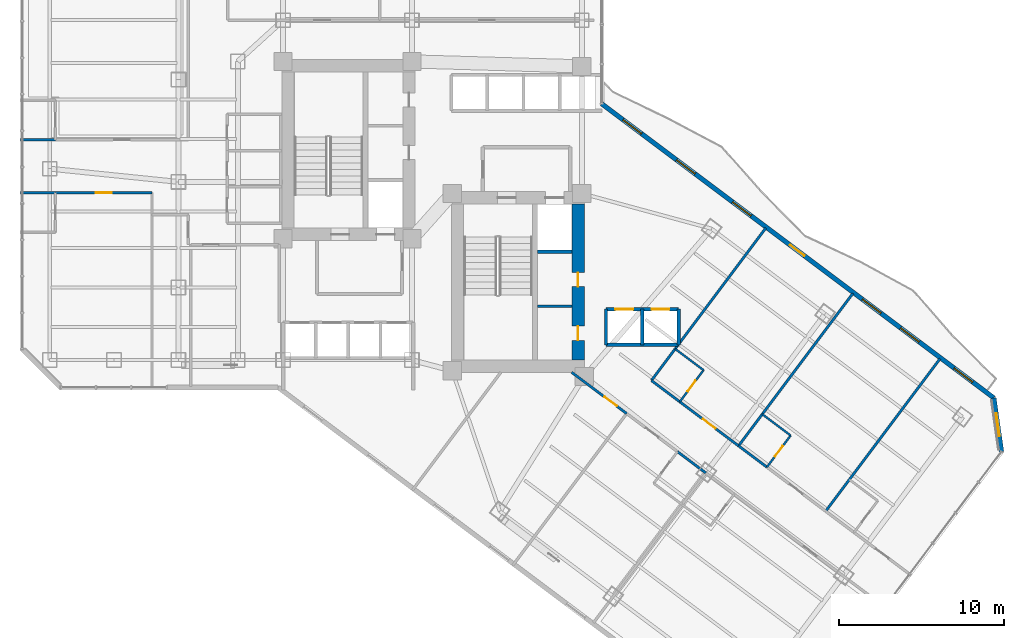
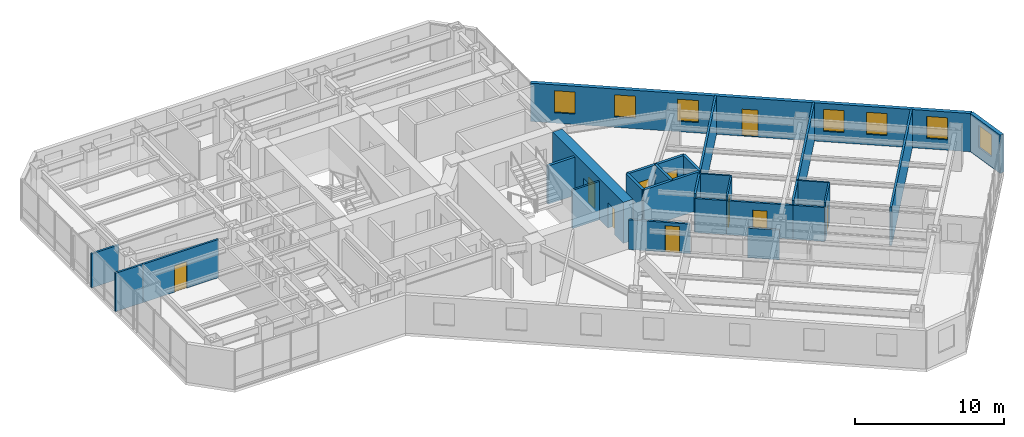
# One storey, part 25 of 31: 25 walls, 10 doors, 7 windows, 17 openings.
"""IFC4 building model written with IfcOpenShell, lengths in metres."""

import ifcopenshell
import ifcopenshell.guid

model = None  # the IFC model being written
_history = None  # IfcOwnerHistory: only IFC2X3 demands one
_inside = {}  # id of a spatial element -> (the spatial element, [elements in it])
_under = {}  # id of a project, library or spatial element -> (it, [spatial elements below it])
_declared = {}  # id of a project -> (the project, [libraries it declares])
_typed = {}  # id of a type object -> (the type object, [elements of that type])
_made_of = {}  # id of a material, layer set ... -> (it, [elements and type objects made of it])


def new_model(schema):
    """Start an empty IFC model of exactly this schema.

    Asked for "IFC4X3", IfcOpenShell would pick the latest addendum, in which some entities
    have other attributes; the version numbers below select the first issue.
    IFC2X3 requires an IfcOwnerHistory on every rooted entity: one is made here for all.
    """
    global model, _history
    if schema == "IFC4X3":
        model = ifcopenshell.file(schema_version=(4, 3, 0, 0))
    else:
        model = ifcopenshell.file(schema=schema)
    _inside.clear()
    _under.clear()
    _declared.clear()
    _typed.clear()
    _made_of.clear()
    _history = None
    if model.schema == "IFC2X3":
        org = make("IfcOrganization", Name="unknown")
        user = make(
            "IfcPersonAndOrganization",
            ThePerson=make("IfcPerson", FamilyName="unknown"),
            TheOrganization=org,
        )
        app = make(
            "IfcApplication",
            ApplicationDeveloper=org,
            Version="unknown",
            ApplicationFullName="unknown",
            ApplicationIdentifier="unknown",
        )
        _history = make(
            "IfcOwnerHistory",
            OwningUser=user,
            OwningApplication=app,
            ChangeAction="ADDED",
            CreationDate=0,
        )
    return model


def make(cls, **values):
    """One entity of the class cls with the attributes given. An attribute that is None is left unset."""
    return model.create_entity(
        cls, **{name: value for name, value in values.items() if value is not None}
    )


def rooted(cls, **values):
    """An entity with a GlobalId (a new one), such as an element, a storey or a relation."""
    return make(cls, GlobalId=ifcopenshell.guid.new(), OwnerHistory=_history, **values)


def si_unit(unit_type, name, prefix=None):
    """IfcSIUnit, for example si_unit("LENGTHUNIT", "METRE", prefix="MILLI")."""
    return make("IfcSIUnit", UnitType=unit_type, Prefix=prefix, Name=name)


def assignment(units):
    """IfcUnitAssignment: the units of a project."""
    return None if units is None else make("IfcUnitAssignment", Units=units)


def point(xyz):
    """IfcCartesianPoint."""
    return None if xyz is None else make("IfcCartesianPoint", Coordinates=xyz)


def direction(xyz):
    """IfcDirection."""
    return None if xyz is None else make("IfcDirection", DirectionRatios=xyz)


def frame(location, z_axis=None, x_axis=None):
    """IfcAxis2Placement3D, a coordinate frame: its origin and axes. An axis left out is left unset."""
    return make(
        "IfcAxis2Placement3D",
        Location=point(location),
        Axis=direction(z_axis),
        RefDirection=direction(x_axis),
    )


def frame_2d(location, x_axis=None):
    """IfcAxis2Placement2D, a coordinate frame in the plane: its origin and x axis."""
    return make(
        "IfcAxis2Placement2D", Location=point(location), RefDirection=direction(x_axis)
    )


def origin():
    """The frame at (0, 0, 0) with its axes left unset."""
    return frame((0.0, 0.0, 0.0))


def place(relative_to, where):
    """IfcLocalPlacement: puts the frame where relative to a parent placement (None: the world)."""
    return make(
        "IfcLocalPlacement", PlacementRelTo=relative_to, RelativePlacement=where
    )


def context(
    kind, dimensions, precision=None, world=None, true_north=None, identifier=None
):
    """IfcGeometricRepresentationContext, for example the 3D "Model" context."""
    return make(
        "IfcGeometricRepresentationContext",
        ContextIdentifier=identifier,
        ContextType=kind,
        CoordinateSpaceDimension=dimensions,
        Precision=precision,
        WorldCoordinateSystem=world,
        TrueNorth=true_north,
    )


def subcontext(parent, identifier, kind, view, scale=None):
    """IfcGeometricRepresentationSubContext, for example "Body" below "Model"."""
    return make(
        "IfcGeometricRepresentationSubContext",
        ContextIdentifier=identifier,
        ContextType=kind,
        ParentContext=parent,
        TargetScale=scale,
        TargetView=view,
    )


def project(units=None, contexts=None):
    """IfcProject with its units and contexts."""
    return rooted(
        "IfcProject",
        Name="project",
        RepresentationContexts=contexts,
        UnitsInContext=assignment(units),
    )


def spatial(cls, under=None, at=None, **own):
    """A site, building, storey or space (cls), placed at a placement, below another one or the project."""
    s = rooted(cls, ObjectPlacement=at, **own)
    if under is not None:
        _under.setdefault(under.id(), (under, []))[1].append(s)
    return s


def profile(cls, at=None, kind="AREA", **sizes):
    """A parametric profile (cls). Its sizes go by their IFC names, for example OverallWidth=200.0."""
    return make(cls, ProfileType=kind, Position=at, **sizes)


def rectangle(**sizes):
    """IfcRectangleProfileDef."""
    return profile("IfcRectangleProfileDef", **sizes)


def extrude(swept, where, along, depth):
    """IfcExtrudedAreaSolid: the profile swept, set in the frame where, extruded along a direction by depth."""
    return make(
        "IfcExtrudedAreaSolid",
        SweptArea=swept,
        Position=where,
        ExtrudedDirection=direction(along),
        Depth=depth,
    )


def shape(context_of_items, identifier, shape_type, items):
    """IfcShapeRepresentation: the items that make up one representation, for example the "Body"."""
    return make(
        "IfcShapeRepresentation",
        ContextOfItems=context_of_items,
        RepresentationIdentifier=identifier,
        RepresentationType=shape_type,
        Items=items,
    )


def material(Name=None, Category=None):
    """IfcMaterial."""
    return make("IfcMaterial", Name=Name, Category=Category)


def layer(
    of_material, thickness, ventilated=None, Name=None, Category=None, Priority=None
):
    """IfcMaterialLayer: one layer of a wall or slab, of a material (None: an air gap)."""
    return make(
        "IfcMaterialLayer",
        Material=of_material,
        LayerThickness=thickness,
        IsVentilated=ventilated,
        Name=Name,
        Category=Category,
        Priority=Priority,
    )


def layer_set(layers, Name=None):
    """IfcMaterialLayerSet."""
    return make("IfcMaterialLayerSet", MaterialLayers=layers, LayerSetName=Name)


def made_of(thing, what):
    """Note that an element or type object is made of a material, layer set ...; save() writes the relation."""
    if what is not None:
        _made_of.setdefault(what.id(), (what, []))[1].append(thing)
    return thing


def type_object(cls, material=None, **own):
    """A type object (cls), such as IfcWallType, which elements share."""
    return made_of(rooted(cls, **own), material)


def element(
    cls,
    number,
    at=None,
    inside=None,
    cuts=None,
    type_object=None,
    material=None,
    context=None,
    identifier="Body",
    shape_type=None,
    held_by="IfcProductDefinitionShape",
    body=None,
    shapes=None,
    **own,
):
    """One element of the class cls, such as IfcWall. Its Tag is "e" and its number.

    at: its placement. inside: the storey or other place that contains it. cuts: it is an
    opening in that element (IfcRelVoidsElement). A single representation is given by context,
    identifier, shape_type and body (its items); several are given by shapes. held_by: the class
    of the entity that holds the representations. save() writes the other relations.
    """
    e = rooted(cls, Tag="e%d" % number, ObjectPlacement=at, **own)
    if body is not None:
        shapes = [shape(context, identifier, shape_type, body)]
    if shapes is not None:
        e.Representation = make(held_by, Representations=shapes)
    if inside is not None:
        _inside.setdefault(inside.id(), (inside, []))[1].append(e)
    if cuts is not None:
        rooted(
            "IfcRelVoidsElement", RelatingBuildingElement=cuts, RelatedOpeningElement=e
        )
    if type_object is not None:
        _typed.setdefault(type_object.id(), (type_object, []))[1].append(e)
    return made_of(e, material)


def fill(opening, filler):
    """IfcRelFillsElement: the door or window that sits in an opening."""
    return rooted(
        "IfcRelFillsElement",
        RelatingOpeningElement=opening,
        RelatedBuildingElement=filler,
    )


def aggregate(whole, parts):
    """IfcRelAggregates: a whole, such as a stair, and the parts it consists of."""
    return rooted("IfcRelAggregates", RelatingObject=whole, RelatedObjects=parts)


def save(model, path):
    """Write the relations noted so far, then the file.

    IfcRelAggregates (storeys below a building ...), IfcRelContainedInSpatialStructure (elements
    in a storey), IfcRelDefinesByType, IfcRelAssociatesMaterial and IfcRelDeclares: one each for
    every whole, place, type object, material and project.
    """
    for whole, parts in _under.values():
        aggregate(whole, parts)
    for where, things in _inside.values():
        rooted(
            "IfcRelContainedInSpatialStructure",
            RelatedElements=things,
            RelatingStructure=where,
        )
    for kind, things in _typed.values():
        rooted("IfcRelDefinesByType", RelatedObjects=things, RelatingType=kind)
    for what, things in _made_of.values():
        rooted("IfcRelAssociatesMaterial", RelatedObjects=things, RelatingMaterial=what)
    for by, libraries in _declared.values():
        rooted("IfcRelDeclares", RelatingContext=by, RelatedDefinitions=libraries)
    model.write(path)


model = new_model("IFC4")

# Units and contexts
model_context = context("Model", 3, precision=1e-05, world=origin(), true_north=direction((0.0, 1.0)))
body_context = subcontext(model_context, "Body", "Model", "MODEL_VIEW")
ifc_project = project(units=[si_unit("LENGTHUNIT", "METRE"), si_unit("AREAUNIT", "SQUARE_METRE"), si_unit("VOLUMEUNIT", "CUBIC_METRE"), si_unit("PLANEANGLEUNIT", "RADIAN"), si_unit("MASSUNIT", "GRAM", prefix="KILO")], contexts=[model_context])

# Site, building, storey
site_placement = place(None, origin())
site = spatial("IfcSite", under=ifc_project, at=site_placement, CompositionType="ELEMENT")
building_placement = place(site_placement, origin())
building = spatial("IfcBuilding", under=site, at=building_placement, Name="Hatsunagi Terrace Concourse", CompositionType="ELEMENT")
storey_placement = place(building_placement, frame((0.0, 0.0, 77.949951171875)))
storey = spatial("IfcBuildingStorey", under=building, at=storey_placement, Name="L20", CompositionType="ELEMENT", Elevation=77.949951171875)

# Wall, openings, doors
ifc_material_1 = material(Name="Concrete Fc60", Category="concrete")
ifc_layer_1 = layer(ifc_material_1, 0.75)
ifc_layer_set_1 = layer_set([ifc_layer_1], Name="CoreShearWall_Fc60_750")
wall_type_1 = type_object("IfcWallType", Name="CoreShearWall_Fc60_750", PredefinedType="SHEAR", material=ifc_layer_set_1)
wall_1_placement = place(storey_placement, frame((43.425048828125, 25.18994140625, 0.0), z_axis=(0.0, 0.0, 1.0), x_axis=(0.0, 1.0, 0.0)))
wall_1 = element("IfcWall", 1, at=wall_1_placement, inside=storey, type_object=wall_type_1, Name="Core B Shear Wall E L20", PredefinedType="SHEAR", context=body_context, shape_type="SweptSolid", body=[
    extrude(rectangle(XDim=9.47998046875, YDim=0.75, at=frame_2d((4.739990234375, 0.0))), origin(), (0.0, 0.0, 1.0), 3.35009765625),
])
opening_1_placement = place(wall_1_placement, frame((1.2099609375, 0.0, 0.0)))
opening_1 = element("IfcOpeningElement", 2, at=opening_1_placement, cuts=wall_1, Name="Opening DR-085", PredefinedType="OPENING", context=body_context, shape_type="SweptSolid", body=[
    extrude(rectangle(XDim=0.85009765625, YDim=2.080078125, at=frame_2d((0.425048828125, 1.0400390625))), frame((0.0, 0.385009765625, 0.0), z_axis=(0.0, -1.0, 0.0), x_axis=(1.0, 0.0, 0.0)), (0.0, 0.0, 1.0), 0.77001953125),
])
opening_2_placement = place(wall_1_placement, frame((4.4599609375, 0.0, 0.0)))
opening_2 = element("IfcOpeningElement", 3, at=opening_2_placement, cuts=wall_1, Name="Opening DR-085", PredefinedType="OPENING", context=body_context, shape_type="SweptSolid", body=[
    extrude(rectangle(XDim=0.85009765625, YDim=2.080078125, at=frame_2d((0.425048828125, 1.0400390625))), frame((0.0, 0.385009765625, 0.0), z_axis=(0.0, -1.0, 0.0), x_axis=(1.0, 0.0, 0.0)), (0.0, 0.0, 1.0), 0.77001953125),
])
ifc_material_2 = material(Name="Painted steel", Category="steel")
door_type_1 = type_object("IfcDoorType", Name="RiserAccessDoor_EI60_850", OperationType="NOTDEFINED", PredefinedType="DOOR", material=ifc_material_2)
door_1_placement = place(opening_1_placement, origin())
door_1 = element("IfcDoor", 4, at=door_1_placement, inside=storey, type_object=door_type_1, Name="Core B Riser Door L20-1", OperationType="SINGLE_SWING_RIGHT", OverallHeight=2.080078125, OverallWidth=0.85009765625, PredefinedType="DOOR", context=body_context, shape_type="SweptSolid", body=[
    extrude(rectangle(XDim=0.85009765625, YDim=2.080078125, at=frame_2d((0.425048828125, 1.0400390625))), frame((0.0, 0.02490234375, 0.0), z_axis=(0.0, -1.0, 0.0), x_axis=(1.0, 0.0, 0.0)), (0.0, 0.0, 1.0), 0.050048828125),
])
fill(opening_1, door_1)
door_2_placement = place(opening_2_placement, origin())
door_2 = element("IfcDoor", 5, at=door_2_placement, inside=storey, type_object=door_type_1, Name="Core B Riser Door L20-2", OperationType="SINGLE_SWING_RIGHT", OverallHeight=2.080078125, OverallWidth=0.85009765625, PredefinedType="DOOR", context=body_context, shape_type="SweptSolid", body=[
    extrude(rectangle(XDim=0.85009765625, YDim=2.080078125, at=frame_2d((0.425048828125, 1.0400390625))), frame((0.0, 0.02490234375, 0.0), z_axis=(0.0, -1.0, 0.0), x_axis=(1.0, 0.0, 0.0)), (0.0, 0.0, 1.0), 0.050048828125),
])
fill(opening_2, door_2)

# Wall, opening, door
ifc_material_3 = material(Name="Acoustic mineral board", Category="gypsum")
ifc_layer_2 = layer(ifc_material_3, 0.1201171875)
ifc_layer_set_2 = layer_set([ifc_layer_2], Name="PartitionWall_EI30_120")
wall_type_2 = type_object("IfcWallType", Name="PartitionWall_EI30_120", PredefinedType="PARTITIONING", material=ifc_layer_set_2)
wall_2_placement = place(storey_placement, frame((49.590087890625, 22.669921875, 0.0), z_axis=(0.0, 0.0, 1.0), x_axis=(0.599951172744, 0.800036618114, 0.0)))
wall_2 = element("IfcWall", 6, at=wall_2_placement, inside=storey, type_object=wall_type_2, Name="Interior Partition IW-L20-061", PredefinedType="PARTITIONING", context=body_context, shape_type="SweptSolid", body=[
    extrude(rectangle(XDim=2.400146484375, YDim=0.1201171875, at=frame_2d((1.2001953125, 0.0))), origin(), (0.0, 0.0, 1.0), 3.130126953125),
])
opening_3_placement = place(wall_2_placement, frame((0.800048828125, 0.0, 0.0)))
opening_3 = element("IfcOpeningElement", 7, at=opening_3_placement, cuts=wall_2, Name="Opening DR-080", PredefinedType="OPENING", context=body_context, shape_type="SweptSolid", body=[
    extrude(rectangle(XDim=0.800048828125, YDim=2.06005859375, at=frame_2d((0.39990234375, 1.030029296875))), frame((0.0, 0.070068359375, 0.0), z_axis=(0.0, -1.0, 0.0), x_axis=(1.0, 0.0, 0.0)), (0.0, 0.0, 1.0), 0.14013671875),
])
ifc_material_4 = material(Name="Hardwood timber", Category="wood")
door_type_2 = type_object("IfcDoorType", Name="BathroomDoor_800", OperationType="NOTDEFINED", PredefinedType="DOOR", material=ifc_material_4)
door_3_placement = place(opening_3_placement, origin())
door_3 = element("IfcDoor", 8, at=door_3_placement, inside=storey, type_object=door_type_2, Name="En-Suite Bathroom L20-SENE1 Door", OperationType="SINGLE_SWING_LEFT", OverallHeight=2.06005859375, OverallWidth=0.800048828125, PredefinedType="DOOR", context=body_context, shape_type="SweptSolid", body=[
    extrude(rectangle(XDim=0.800048828125, YDim=2.06005859375, at=frame_2d((0.39990234375, 1.030029296875))), frame((0.0, 0.02490234375, 0.0), z_axis=(0.0, -1.0, 0.0), x_axis=(1.0, 0.0, 0.0)), (0.0, 0.0, 1.0), 0.050048828125),
])
fill(opening_3, door_3)

# Wall
wall_3_placement = place(storey_placement, frame((49.31005859375, 25.8798828125, 0.0), z_axis=(0.0, 0.0, 1.0), x_axis=(0.800040880289, -0.59994548908, 0.0)))
element("IfcWall", 9, at=wall_3_placement, inside=storey, type_object=wall_type_2, Name="Interior Partition IW-L20-062", PredefinedType="PARTITIONING", context=body_context, shape_type="SweptSolid", body=[
    extrude(rectangle(XDim=2.14990234375, YDim=0.1201171875, at=frame_2d((1.074951171875, 0.0))), origin(), (0.0, 0.0, 1.0), 3.130126953125),
])

# Wall, opening, door
wall_4_placement = place(storey_placement, frame((54.8701171875, 18.7099609375, 0.0), z_axis=(0.0, 0.0, 1.0), x_axis=(0.6, 0.8, 0.0)))
wall_4 = element("IfcWall", 10, at=wall_4_placement, inside=storey, type_object=wall_type_2, Name="Interior Partition IW-L20-067", PredefinedType="PARTITIONING", context=body_context, shape_type="SweptSolid", body=[
    extrude(rectangle(XDim=2.39990234375, YDim=0.1201171875, at=frame_2d((1.199951171875, 0.0))), origin(), (0.0, 0.0, 1.0), 3.130126953125),
])
opening_4_placement = place(wall_4_placement, frame((0.800048828125, 0.0, 0.0)))
opening_4 = element("IfcOpeningElement", 11, at=opening_4_placement, cuts=wall_4, Name="Opening DR-080", PredefinedType="OPENING", context=body_context, shape_type="SweptSolid", body=[
    extrude(rectangle(XDim=0.800048828125, YDim=2.06005859375, at=frame_2d((0.39990234375, 1.030029296875))), frame((0.0, 0.070068359375, 0.0), z_axis=(0.0, -1.0, 0.0), x_axis=(1.0, 0.0, 0.0)), (0.0, 0.0, 1.0), 0.14013671875),
])
door_4_placement = place(opening_4_placement, origin())
door_4 = element("IfcDoor", 12, at=door_4_placement, inside=storey, type_object=door_type_2, Name="En-Suite Bathroom L20-SENE2 Door", OperationType="SINGLE_SWING_RIGHT", OverallHeight=2.06005859375, OverallWidth=0.800048828125, PredefinedType="DOOR", context=body_context, shape_type="SweptSolid", body=[
    extrude(rectangle(XDim=0.800048828125, YDim=2.06005859375, at=frame_2d((0.39990234375, 1.030029296875))), frame((0.0, 0.02490234375, 0.0), z_axis=(0.0, -1.0, 0.0), x_axis=(1.0, 0.0, 0.0)), (0.0, 0.0, 1.0), 0.050048828125),
])
fill(opening_4, door_4)

# Walls
wall_5_placement = place(storey_placement, frame((54.590087890625, 21.919921875, 0.0), z_axis=(0.0, 0.0, 1.0), x_axis=(0.79998637334, -0.60001816845, 0.0)))
element("IfcWall", 13, at=wall_5_placement, inside=storey, type_object=wall_type_2, Name="Interior Partition IW-L20-068", PredefinedType="PARTITIONING", context=body_context, shape_type="SweptSolid", body=[
    extrude(rectangle(XDim=2.14990234375, YDim=0.1201171875, at=frame_2d((1.074951171875, 0.0))), origin(), (0.0, 0.0, 1.0), 3.130126953125),
])
ifc_material_5 = material(Name="Acoustic mineral board", Category="gypsum")
ifc_layer_3 = layer(ifc_material_5, 0.14990234375)
ifc_layer_set_3 = layer_set([ifc_layer_3], Name="PartitionWall_EI60_150")
wall_type_3 = type_object("IfcWallType", Name="PartitionWall_EI60_150", PredefinedType="PARTITIONING", material=ifc_layer_set_3)
wall_6_placement = place(storey_placement, frame((40.969970703125, 28.449951171875, 0.0), z_axis=(0.0, 0.0, 1.0), x_axis=(1.0, 0.0, 0.0)))
element("IfcWall", 14, at=wall_6_placement, inside=storey, type_object=wall_type_3, Name="Interior Partition IW-L20-004", PredefinedType="PARTITIONING", context=body_context, shape_type="SweptSolid", body=[
    extrude(rectangle(XDim=2.080078125, YDim=0.14990234375, at=frame_2d((1.0400390625, 0.0))), origin(), (0.0, 0.0, 1.0), 3.130126953125),
])

# Wall, opening, door
wall_7_placement = place(storey_placement, frame((43.037109375, 24.4599609375, 0.0), z_axis=(0.0, 0.0, 1.0), x_axis=(0.799971872363, -0.600037501685, 0.0)))
wall_7 = element("IfcWall", 15, at=wall_7_placement, inside=storey, type_object=wall_type_3, Name="Interior Partition IW-L20-041", PredefinedType="PARTITIONING", context=body_context, shape_type="SweptSolid", body=[
    extrude(rectangle(XDim=4.16650390625, YDim=0.14990234375, at=frame_2d((2.083251953125, 0.0))), origin(), (0.0, 0.0, 1.0), 2.425048828125),
])
opening_5_placement = place(wall_7_placement, frame((2.468017578125, 0.0, 0.0)))
opening_5 = element("IfcOpeningElement", 16, at=opening_5_placement, cuts=wall_7, Name="Opening DR-095", PredefinedType="OPENING", context=body_context, shape_type="SweptSolid", body=[
    extrude(rectangle(XDim=0.949951171875, YDim=2.14990234375, at=frame_2d((0.47509765625, 1.074951171875))), frame((0.0, 0.0849609375, 0.0), z_axis=(0.0, -1.0, 0.0), x_axis=(1.0, 0.0, 0.0)), (0.0, 0.0, 1.0), 0.169921875),
])
ifc_material_6 = material(Name="Hardwood timber", Category="wood")
door_type_3 = type_object("IfcDoorType", Name="InteriorSuiteDoor_EI30_950", OperationType="NOTDEFINED", PredefinedType="DOOR", material=ifc_material_6)
door_5_placement = place(opening_5_placement, origin())
door_5 = element("IfcDoor", 17, at=door_5_placement, inside=storey, type_object=door_type_3, Name="Meeting Room L20-HMTG Door", OperationType="SINGLE_SWING_RIGHT", OverallHeight=2.14990234375, OverallWidth=0.949951171875, PredefinedType="DOOR", context=body_context, shape_type="SweptSolid", body=[
    extrude(rectangle(XDim=0.949951171875, YDim=2.14990234375, at=frame_2d((0.47509765625, 1.074951171875))), frame((0.0, 0.02490234375, 0.0), z_axis=(0.0, -1.0, 0.0), x_axis=(1.0, 0.0, 0.0)), (0.0, 0.0, 1.0), 0.050048828125),
])
fill(opening_5, door_5)

# Walls
wall_8_placement = place(storey_placement, frame((9.639892578125, 38.550048828125, 0.0), z_axis=(0.0, 0.0, 1.0), x_axis=(1.0, 0.0, 0.0)))
element("IfcWall", 18, at=wall_8_placement, inside=storey, type_object=wall_type_3, Name="Interior Partition IW-L20-047", PredefinedType="PARTITIONING", context=body_context, shape_type="SweptSolid", body=[
    extrude(rectangle(XDim=2.110107421875, YDim=0.14990234375, at=frame_2d((1.05517578125, 0.0))), origin(), (0.0, 0.0, 1.0), 2.775146484375),
])
wall_9_placement = place(storey_placement, frame((9.639892578125, 35.35009765625, 0.0), z_axis=(0.0, 0.0, 1.0), x_axis=(1.0, 0.0, 0.0)))
element("IfcWall", 19, at=wall_9_placement, inside=storey, type_object=wall_type_3, Name="Interior Partition IW-L20-052", PredefinedType="PARTITIONING", context=body_context, shape_type="SweptSolid", body=[
    extrude(rectangle(XDim=2.110107421875, YDim=0.14990234375, at=frame_2d((1.05517578125, 0.0))), origin(), (0.0, 0.0, 1.0), 3.130126953125),
])

# Wall, opening, door
wall_10_placement = place(storey_placement, frame((11.75, 35.35009765625, 0.0), z_axis=(0.0, 0.0, 1.0), x_axis=(1.0, 0.0, 0.0)))
wall_10 = element("IfcWall", 20, at=wall_10_placement, inside=storey, type_object=wall_type_3, Name="Interior Partition IW-L20-053", PredefinedType="PARTITIONING", context=body_context, shape_type="SweptSolid", body=[
    extrude(rectangle(XDim=5.85009765625, YDim=0.14990234375, at=frame_2d((2.925048828125, 0.0))), origin(), (0.0, 0.0, 1.0), 3.130126953125),
])
opening_6_placement = place(wall_10_placement, frame((2.449951171875, 0.0, 0.0)))
opening_6 = element("IfcOpeningElement", 21, at=opening_6_placement, cuts=wall_10, Name="Opening DR-095", PredefinedType="OPENING", context=body_context, shape_type="SweptSolid", body=[
    extrude(rectangle(XDim=0.949951171875, YDim=2.14990234375, at=frame_2d((0.47509765625, 1.074951171875))), frame((0.0, 0.0849609375, 0.0), z_axis=(0.0, -1.0, 0.0), x_axis=(1.0, 0.0, 0.0)), (0.0, 0.0, 1.0), 0.169921875),
])
door_6_placement = place(opening_6_placement, origin())
door_6 = element("IfcDoor", 22, at=door_6_placement, inside=storey, type_object=door_type_3, Name="Corner Hotel Suite L20-S1 Door", OperationType="SINGLE_SWING_RIGHT", OverallHeight=2.14990234375, OverallWidth=0.949951171875, PredefinedType="DOOR", context=body_context, shape_type="SweptSolid", body=[
    extrude(rectangle(XDim=0.949951171875, YDim=2.14990234375, at=frame_2d((0.47509765625, 1.074951171875))), frame((0.0, 0.02490234375, 0.0), z_axis=(0.0, -1.0, 0.0), x_axis=(1.0, 0.0, 0.0)), (0.0, 0.0, 1.0), 0.050048828125),
])
fill(opening_6, door_6)

# Wall
wall_11_placement = place(storey_placement, frame((47.8701171875, 23.9599609375, 0.0), z_axis=(0.0, 0.0, 1.0), x_axis=(0.79998637334, -0.60001816845, 0.0)))
element("IfcWall", 23, at=wall_11_placement, inside=storey, type_object=wall_type_3, Name="Interior Partition IW-L20-059", PredefinedType="PARTITIONING", context=body_context, shape_type="SweptSolid", body=[
    extrude(rectangle(XDim=2.14990234375, YDim=0.14990234375, at=frame_2d((1.074951171875, 0.0))), origin(), (0.0, 0.0, 1.0), 2.775146484375),
])

# Wall, opening, door
wall_12_placement = place(storey_placement, frame((49.590087890625, 22.669921875, 0.0), z_axis=(0.0, 0.0, 1.0), x_axis=(0.799993416095, -0.600008778439, 0.0)))
wall_12 = element("IfcWall", 24, at=wall_12_placement, inside=storey, type_object=wall_type_3, Name="Interior Partition IW-L20-060", PredefinedType="PARTITIONING", context=body_context, shape_type="SweptSolid", body=[
    extrude(rectangle(XDim=4.44970703125, YDim=0.14990234375, at=frame_2d((2.224853515625, 0.0))), origin(), (0.0, 0.0, 1.0), 2.775146484375),
])
opening_7_placement = place(wall_12_placement, frame((1.75, 0.0, 0.0)))
opening_7 = element("IfcOpeningElement", 25, at=opening_7_placement, cuts=wall_12, Name="Opening DR-095", PredefinedType="OPENING", context=body_context, shape_type="SweptSolid", body=[
    extrude(rectangle(XDim=0.949951171875, YDim=2.14990234375, at=frame_2d((0.47509765625, 1.074951171875))), frame((0.0, 0.0849609375, 0.0), z_axis=(0.0, -1.0, 0.0), x_axis=(1.0, 0.0, 0.0)), (0.0, 0.0, 1.0), 0.169921875),
])
door_7_placement = place(opening_7_placement, origin())
door_7 = element("IfcDoor", 26, at=door_7_placement, inside=storey, type_object=door_type_3, Name="Hotel Guest Room L20-SENE1 Door", OperationType="SINGLE_SWING_LEFT", OverallHeight=2.14990234375, OverallWidth=0.949951171875, PredefinedType="DOOR", context=body_context, shape_type="SweptSolid", body=[
    extrude(rectangle(XDim=0.949951171875, YDim=2.14990234375, at=frame_2d((0.47509765625, 1.074951171875))), frame((0.0, 0.02490234375, 0.0), z_axis=(0.0, -1.0, 0.0), x_axis=(1.0, 0.0, 0.0)), (0.0, 0.0, 1.0), 0.050048828125),
])
fill(opening_7, door_7)

# Walls
for number, where, z_axis, x_axis, name in (
    (27, (47.8701171875, 23.9599609375, 0.0), (0.0, 0.0, 1.0), (0.599996617946, 0.80000253653, 0.0), "Interior Partition IW-L20-063"),
    (28, (53.14990234375, 20.0, 0.0), (0.0, 0.0, 1.0), (0.60001014597, 0.799992390422, 0.0), "Interior Partition IW-L20-064"),
):
    element("IfcWall", number, at=place(storey_placement, frame(where, z_axis=z_axis, x_axis=x_axis)), inside=storey, type_object=wall_type_3, Name=name, PredefinedType="PARTITIONING", context=body_context, shape_type="SweptSolid", body=[
        extrude(rectangle(XDim=11.550048828125, YDim=0.14990234375, at=frame_2d((5.77490234375, 0.0))), origin(), (0.0, 0.0, 1.0), 3.130126953125),
    ])
wall_13_placement = place(storey_placement, frame((53.14990234375, 20.0, 0.0), z_axis=(0.0, 0.0, 1.0), x_axis=(0.800027249606, -0.599963665473, 0.0)))
element("IfcWall", 29, at=wall_13_placement, inside=storey, type_object=wall_type_3, Name="Interior Partition IW-L20-065", PredefinedType="PARTITIONING", context=body_context, shape_type="SweptSolid", body=[
    extrude(rectangle(XDim=2.150146484375, YDim=0.14990234375, at=frame_2d((1.0751953125, 0.0))), origin(), (0.0, 0.0, 1.0), 2.775146484375),
])
wall_14_placement = place(storey_placement, frame((58.429931640625, 16.0400390625, 0.0), z_axis=(0.0, 0.0, 1.0), x_axis=(0.60001014597, 0.799992390422, 0.0)))
element("IfcWall", 30, at=wall_14_placement, inside=storey, type_object=wall_type_3, Name="Interior Partition IW-L20-069", PredefinedType="PARTITIONING", context=body_context, shape_type="SweptSolid", body=[
    extrude(rectangle(XDim=11.550048828125, YDim=0.14990234375, at=frame_2d((5.77490234375, 0.0))), origin(), (0.0, 0.0, 1.0), 3.130126953125),
])
wall_15_placement = place(storey_placement, frame((49.449951171875, 19.64990234375, 0.0), z_axis=(0.0, 0.0, 1.0), x_axis=(0.800040880289, -0.59994548908, 0.0)))
element("IfcWall", 31, at=wall_15_placement, inside=storey, type_object=wall_type_3, Name="Interior Partition IW-L20-075", PredefinedType="PARTITIONING", context=body_context, shape_type="SweptSolid", body=[
    extrude(rectangle(XDim=2.14990234375, YDim=0.14990234375, at=frame_2d((1.074951171875, 0.0))), origin(), (0.0, 0.0, 1.0), 2.425048828125),
])
ifc_material_7 = material(Name="Acoustic mineral board", Category="gypsum")
ifc_layer_4 = layer(ifc_material_7, 0.199951171875)
ifc_layer_set_4 = layer_set([ifc_layer_4], Name="ShaftWall_EI120_200")
wall_type_4 = type_object("IfcWallType", Name="ShaftWall_EI120_200", PredefinedType="STANDARD", material=ifc_layer_set_4)
wall_16_placement = place(storey_placement, frame((40.969970703125, 31.760009765625, 0.0), z_axis=(0.0, 0.0, 1.0), x_axis=(1.0, 0.0, 0.0)))
element("IfcWall", 32, at=wall_16_placement, inside=storey, type_object=wall_type_4, Name="Interior Partition IW-L20-003", PredefinedType="STANDARD", context=body_context, shape_type="SweptSolid", body=[
    extrude(rectangle(XDim=2.080078125, YDim=0.199951171875, at=frame_2d((1.0400390625, 0.0))), origin(), (0.0, 0.0, 1.0), 3.130126953125),
])
wall_17_placement = place(storey_placement, frame((45.1201171875, 26.1201171875, 0.0), z_axis=(0.0, 0.0, 1.0), x_axis=(1.0, 0.0, 0.0)))
element("IfcWall", 33, at=wall_17_placement, inside=storey, type_object=wall_type_4, Name="Interior Partition IW-L20-024", PredefinedType="STANDARD", context=body_context, shape_type="SweptSolid", body=[
    extrude(rectangle(XDim=4.39990234375, YDim=0.199951171875, at=frame_2d((2.199951171875, 0.0))), origin(), (0.0, 0.0, 1.0), 3.130126953125),
])
for number, where, z_axis, x_axis, name in (
    (34, (45.1201171875, 26.1201171875, 0.0), (0.0, 0.0, 1.0), (0.0, 1.0, 0.0), "Interior Partition IW-L20-025"),
    (35, (49.52001953125, 26.1201171875, 0.0), (0.0, 0.0, 1.0), (0.0, 1.0, 0.0), "Interior Partition IW-L20-026"),
    (36, (47.320068359375, 26.1201171875, 0.0), (0.0, 0.0, 1.0), (0.0, 1.0, 0.0), "Interior Partition IW-L20-027"),
):
    element("IfcWall", number, at=place(storey_placement, frame(where, z_axis=z_axis, x_axis=x_axis)), inside=storey, type_object=wall_type_4, Name=name, PredefinedType="STANDARD", context=body_context, shape_type="SweptSolid", body=[
        extrude(rectangle(XDim=2.159912109375, YDim=0.199951171875, at=frame_2d((1.080078125, 0.0))), origin(), (0.0, 0.0, 1.0), 3.130126953125),
    ])

# Wall, openings, doors
wall_18_placement = place(storey_placement, frame((45.1201171875, 28.280029296875, 0.0), z_axis=(0.0, 0.0, 1.0), x_axis=(1.0, 0.0, 0.0)))
wall_18 = element("IfcWall", 37, at=wall_18_placement, inside=storey, type_object=wall_type_4, Name="Interior Partition IW-L20-028", PredefinedType="STANDARD", context=body_context, shape_type="SweptSolid", body=[
    extrude(rectangle(XDim=4.39990234375, YDim=0.199951171875, at=frame_2d((2.199951171875, 0.0))), origin(), (0.0, 0.0, 1.0), 3.130126953125),
])
opening_8_placement = place(wall_18_placement, frame((0.56005859375, 0.0, 0.0)))
opening_8 = element("IfcOpeningElement", 38, at=opening_8_placement, cuts=wall_18, Name="Opening LD-03", PredefinedType="OPENING", context=body_context, shape_type="SweptSolid", body=[
    extrude(rectangle(XDim=1.080078125, YDim=2.14990234375, at=frame_2d((0.5400390625, 1.074951171875))), frame((0.0, 0.10986328125, 0.0), z_axis=(0.0, -1.0, 0.0), x_axis=(1.0, 0.0, 0.0)), (0.0, 0.0, 1.0), 0.219970703125),
])
opening_9_placement = place(wall_18_placement, frame((2.760009765625, 0.0, 0.0)))
opening_9 = element("IfcOpeningElement", 39, at=opening_9_placement, cuts=wall_18, Name="Opening LD-03", PredefinedType="OPENING", context=body_context, shape_type="SweptSolid", body=[
    extrude(rectangle(XDim=1.080078125, YDim=2.14990234375, at=frame_2d((0.5400390625, 1.074951171875))), frame((0.0, 0.10986328125, 0.0), z_axis=(0.0, -1.0, 0.0), x_axis=(1.0, 0.0, 0.0)), (0.0, 0.0, 1.0), 0.219970703125),
])
ifc_material_8 = material(Name="Stainless steel", Category="steel")
door_type_4 = type_object("IfcDoorType", Name="LiftLandingDoor_LD03", OperationType="SLIDING_TO_LEFT", PredefinedType="USERDEFINED", material=ifc_material_8)
door_8_placement = place(opening_8_placement, origin())
door_8 = element("IfcDoor", 40, at=door_8_placement, inside=storey, type_object=door_type_4, Name="Lift landing door PL-09 L20", ObjectType="SLIDING_LANDING_DOOR", OperationType="SLIDING_TO_LEFT", OverallHeight=2.14990234375, OverallWidth=1.080078125, PredefinedType="USERDEFINED", context=body_context, shape_type="SweptSolid", body=[
    extrude(rectangle(XDim=1.080078125, YDim=2.14990234375, at=frame_2d((0.5400390625, 1.074951171875))), frame((0.0, 0.02490234375, 0.0), z_axis=(0.0, -1.0, 0.0), x_axis=(1.0, 0.0, 0.0)), (0.0, 0.0, 1.0), 0.050048828125),
])
fill(opening_8, door_8)
door_9_placement = place(opening_9_placement, origin())
door_9 = element("IfcDoor", 41, at=door_9_placement, inside=storey, type_object=door_type_4, Name="Lift landing door PL-10 L20", ObjectType="SLIDING_LANDING_DOOR", OperationType="SLIDING_TO_LEFT", OverallHeight=2.14990234375, OverallWidth=1.080078125, PredefinedType="USERDEFINED", context=body_context, shape_type="SweptSolid", body=[
    extrude(rectangle(XDim=1.080078125, YDim=2.14990234375, at=frame_2d((0.5400390625, 1.074951171875))), frame((0.0, 0.02490234375, 0.0), z_axis=(0.0, -1.0, 0.0), x_axis=(1.0, 0.0, 0.0)), (0.0, 0.0, 1.0), 0.050048828125),
])
fill(opening_9, door_9)

# Wall, openings, door, windows
ifc_material_9 = material(Name="Autoclaved Lightweight Concrete and Terracotta Cladding", Category="masonry")
ifc_layer_5 = layer(ifc_material_9, 0.280029296875)
ifc_layer_set_5 = layer_set([ifc_layer_5], Name="TerracottaSpandrelWall_280")
wall_type_5 = type_object("IfcWallType", Name="TerracottaSpandrelWall_280", PredefinedType="STANDARD", material=ifc_layer_set_5)
wall_19_placement = place(storey_placement, frame((44.860107421875, 40.72998046875, 0.0), z_axis=(0.0, 0.0, 1.0), x_axis=(0.800006902154, -0.599990797017, 0.0)))
wall_19 = element("IfcWall", 42, at=wall_19_placement, inside=storey, type_object=wall_type_5, Name="Exterior Spandrel Wall EW-L20-01", PredefinedType="STANDARD", context=body_context, shape_type="SweptSolid", body=[
    extrude(rectangle(XDim=29.7119140625, YDim=0.280029296875, at=frame_2d((14.85595703125, 0.0))), origin(), (0.0, 0.0, 1.0), 3.130126953125),
])
opening_10_placement = place(wall_19_placement, frame((14.2490234375, 0.0, 0.0)))
opening_10 = element("IfcOpeningElement", 43, at=opening_10_placement, cuts=wall_19, Name="Opening BD-01", PredefinedType="OPENING", context=body_context, shape_type="SweptSolid", body=[
    extrude(rectangle(XDim=1.10009765625, YDim=2.199951171875, at=frame_2d((0.550048828125, 1.10009765625))), frame((0.0, 0.14990234375, 0.0), z_axis=(0.0, -1.0, 0.0), x_axis=(1.0, 0.0, 0.0)), (0.0, 0.0, 1.0), 0.300048828125),
])
opening_11_placement = place(wall_19_placement, frame((1.612060546875, 0.0, 0.85009765625)))
opening_11 = element("IfcOpeningElement", 44, at=opening_11_placement, cuts=wall_19, Name="Opening WIN-02", PredefinedType="OPENING", context=body_context, shape_type="SweptSolid", body=[
    extrude(rectangle(XDim=1.39990234375, YDim=1.800048828125, at=frame_2d((0.699951171875, 0.89990234375))), frame((0.0, 0.14990234375, 0.0), z_axis=(0.0, -1.0, 0.0), x_axis=(1.0, 0.0, 0.0)), (0.0, 0.0, 1.0), 0.300048828125),
])
opening_12_placement = place(wall_19_placement, frame((5.6669921875, 0.0, 0.85009765625)))
opening_12 = element("IfcOpeningElement", 45, at=opening_12_placement, cuts=wall_19, Name="Opening WIN-02", PredefinedType="OPENING", context=body_context, shape_type="SweptSolid", body=[
    extrude(rectangle(XDim=1.39990234375, YDim=1.800048828125, at=frame_2d((0.699951171875, 0.89990234375))), frame((0.0, 0.14990234375, 0.0), z_axis=(0.0, -1.0, 0.0), x_axis=(1.0, 0.0, 0.0)), (0.0, 0.0, 1.0), 0.300048828125),
])
opening_13_placement = place(wall_19_placement, frame((9.912109375, 0.0, 0.85009765625)))
opening_13 = element("IfcOpeningElement", 46, at=opening_13_placement, cuts=wall_19, Name="Opening WIN-02", PredefinedType="OPENING", context=body_context, shape_type="SweptSolid", body=[
    extrude(rectangle(XDim=1.39990234375, YDim=1.800048828125, at=frame_2d((0.699951171875, 0.89990234375))), frame((0.0, 0.14990234375, 0.0), z_axis=(0.0, -1.0, 0.0), x_axis=(1.0, 0.0, 0.0)), (0.0, 0.0, 1.0), 0.300048828125),
])
opening_14_placement = place(wall_19_placement, frame((19.742919921875, 0.0, 0.85009765625)))
opening_14 = element("IfcOpeningElement", 47, at=opening_14_placement, cuts=wall_19, Name="Opening WIN-02", PredefinedType="OPENING", context=body_context, shape_type="SweptSolid", body=[
    extrude(rectangle(XDim=1.39990234375, YDim=1.800048828125, at=frame_2d((0.699951171875, 0.89990234375))), frame((0.0, 0.14990234375, 0.0), z_axis=(0.0, -1.0, 0.0), x_axis=(1.0, 0.0, 0.0)), (0.0, 0.0, 1.0), 0.300048828125),
])
opening_15_placement = place(wall_19_placement, frame((22.64501953125, 0.0, 0.85009765625)))
opening_15 = element("IfcOpeningElement", 48, at=opening_15_placement, cuts=wall_19, Name="Opening WIN-02", PredefinedType="OPENING", context=body_context, shape_type="SweptSolid", body=[
    extrude(rectangle(XDim=1.39990234375, YDim=1.800048828125, at=frame_2d((0.699951171875, 0.89990234375))), frame((0.0, 0.14990234375, 0.0), z_axis=(0.0, -1.0, 0.0), x_axis=(1.0, 0.0, 0.0)), (0.0, 0.0, 1.0), 0.300048828125),
])
opening_16_placement = place(wall_19_placement, frame((26.699951171875, 0.0, 0.85009765625)))
opening_16 = element("IfcOpeningElement", 49, at=opening_16_placement, cuts=wall_19, Name="Opening WIN-02", PredefinedType="OPENING", context=body_context, shape_type="SweptSolid", body=[
    extrude(rectangle(XDim=1.39990234375, YDim=1.800048828125, at=frame_2d((0.699951171875, 0.89990234375))), frame((0.0, 0.14990234375, 0.0), z_axis=(0.0, -1.0, 0.0), x_axis=(1.0, 0.0, 0.0)), (0.0, 0.0, 1.0), 0.300048828125),
])
ifc_material_10 = material(Name="Galvanised Steel and Laminated Safety Glass", Category="steel")
door_type_5 = type_object("IfcDoorType", Name="BalconyTerraceAccessDoor_1100x2200", OperationType="SINGLE_SWING_LEFT", PredefinedType="DOOR", material=ifc_material_10)
door_10_placement = place(opening_10_placement, origin())
door_10 = element("IfcDoor", 50, at=door_10_placement, inside=storey, type_object=door_type_5, Name="Engawa Balcony Door L20-BSE", OperationType="SINGLE_SWING_LEFT", OverallHeight=2.199951171875, OverallWidth=1.10009765625, PredefinedType="DOOR", context=body_context, shape_type="SweptSolid", body=[
    extrude(rectangle(XDim=1.10009765625, YDim=2.199951171875, at=frame_2d((0.550048828125, 1.10009765625))), frame((0.0, 0.02490234375, 0.0), z_axis=(0.0, -1.0, 0.0), x_axis=(1.0, 0.0, 0.0)), (0.0, 0.0, 1.0), 0.050048828125),
])
fill(opening_10, door_10)
ifc_material_11 = material(Name="Thermally Broken Aluminium and Low-E Triple Glazing", Category="aluminium")
window_type = type_object("IfcWindowType", Name="HotelOperableVentWindow_1400x1800", PartitioningType="DOUBLE_PANEL_VERTICAL", PredefinedType="WINDOW", material=ifc_material_11)
window_1_placement = place(opening_11_placement, origin())
window_1 = element("IfcWindow", 51, at=window_1_placement, inside=storey, type_object=window_type, Name="Balcony Daylighting Window L20-01-1", OverallHeight=1.800048828125, OverallWidth=1.39990234375, PartitioningType="SINGLE_PANEL", PredefinedType="WINDOW", context=body_context, shape_type="SweptSolid", body=[
    extrude(rectangle(XDim=1.39990234375, YDim=1.800048828125, at=frame_2d((0.699951171875, 0.89990234375))), frame((0.0, 0.030029296875, 0.0), z_axis=(0.0, -1.0, 0.0), x_axis=(1.0, 0.0, 0.0)), (0.0, 0.0, 1.0), 0.06005859375),
])
fill(opening_11, window_1)
window_2_placement = place(opening_12_placement, origin())
window_2 = element("IfcWindow", 52, at=window_2_placement, inside=storey, type_object=window_type, Name="Balcony Daylighting Window L20-01-2", OverallHeight=1.800048828125, OverallWidth=1.39990234375, PartitioningType="SINGLE_PANEL", PredefinedType="WINDOW", context=body_context, shape_type="SweptSolid", body=[
    extrude(rectangle(XDim=1.39990234375, YDim=1.800048828125, at=frame_2d((0.699951171875, 0.89990234375))), frame((0.0, 0.030029296875, 0.0), z_axis=(0.0, -1.0, 0.0), x_axis=(1.0, 0.0, 0.0)), (0.0, 0.0, 1.0), 0.06005859375),
])
fill(opening_12, window_2)
window_3_placement = place(opening_13_placement, origin())
window_3 = element("IfcWindow", 53, at=window_3_placement, inside=storey, type_object=window_type, Name="Balcony Daylighting Window L20-01-3", OverallHeight=1.800048828125, OverallWidth=1.39990234375, PartitioningType="SINGLE_PANEL", PredefinedType="WINDOW", context=body_context, shape_type="SweptSolid", body=[
    extrude(rectangle(XDim=1.39990234375, YDim=1.800048828125, at=frame_2d((0.699951171875, 0.89990234375))), frame((0.0, 0.030029296875, 0.0), z_axis=(0.0, -1.0, 0.0), x_axis=(1.0, 0.0, 0.0)), (0.0, 0.0, 1.0), 0.06005859375),
])
fill(opening_13, window_3)
window_4_placement = place(opening_14_placement, origin())
window_4 = element("IfcWindow", 54, at=window_4_placement, inside=storey, type_object=window_type, Name="Balcony Daylighting Window L20-01-5", OverallHeight=1.800048828125, OverallWidth=1.39990234375, PartitioningType="SINGLE_PANEL", PredefinedType="WINDOW", context=body_context, shape_type="SweptSolid", body=[
    extrude(rectangle(XDim=1.39990234375, YDim=1.800048828125, at=frame_2d((0.699951171875, 0.89990234375))), frame((0.0, 0.030029296875, 0.0), z_axis=(0.0, -1.0, 0.0), x_axis=(1.0, 0.0, 0.0)), (0.0, 0.0, 1.0), 0.06005859375),
])
fill(opening_14, window_4)
window_5_placement = place(opening_15_placement, origin())
window_5 = element("IfcWindow", 55, at=window_5_placement, inside=storey, type_object=window_type, Name="Balcony Daylighting Window L20-01-6", OverallHeight=1.800048828125, OverallWidth=1.39990234375, PartitioningType="SINGLE_PANEL", PredefinedType="WINDOW", context=body_context, shape_type="SweptSolid", body=[
    extrude(rectangle(XDim=1.39990234375, YDim=1.800048828125, at=frame_2d((0.699951171875, 0.89990234375))), frame((0.0, 0.030029296875, 0.0), z_axis=(0.0, -1.0, 0.0), x_axis=(1.0, 0.0, 0.0)), (0.0, 0.0, 1.0), 0.06005859375),
])
fill(opening_15, window_5)
window_6_placement = place(opening_16_placement, origin())
window_6 = element("IfcWindow", 56, at=window_6_placement, inside=storey, type_object=window_type, Name="Balcony Daylighting Window L20-01-7", OverallHeight=1.800048828125, OverallWidth=1.39990234375, PartitioningType="SINGLE_PANEL", PredefinedType="WINDOW", context=body_context, shape_type="SweptSolid", body=[
    extrude(rectangle(XDim=1.39990234375, YDim=1.800048828125, at=frame_2d((0.699951171875, 0.89990234375))), frame((0.0, 0.030029296875, 0.0), z_axis=(0.0, -1.0, 0.0), x_axis=(1.0, 0.0, 0.0)), (0.0, 0.0, 1.0), 0.06005859375),
])
fill(opening_16, window_6)

# Wall, opening, window
wall_20_placement = place(storey_placement, frame((68.6298828125, 22.903076171875, 0.0), z_axis=(0.0, 0.0, 1.0), x_axis=(0.141285803956, -0.989968848803, 0.0)))
wall_20 = element("IfcWall", 57, at=wall_20_placement, inside=storey, type_object=wall_type_5, Name="Exterior Spandrel Wall EW-L20-02", PredefinedType="STANDARD", context=body_context, shape_type="SweptSolid", body=[
    extrude(rectangle(XDim=3.278076171875, YDim=0.280029296875, at=frame_2d((1.63916015625, 0.0))), origin(), (0.0, 0.0, 1.0), 3.130126953125),
])
opening_17_placement = place(wall_20_placement, frame((0.93896484375, 0.0, 0.85009765625)))
opening_17 = element("IfcOpeningElement", 58, at=opening_17_placement, cuts=wall_20, Name="Opening WIN-02", PredefinedType="OPENING", context=body_context, shape_type="SweptSolid", body=[
    extrude(rectangle(XDim=1.39990234375, YDim=1.800048828125, at=frame_2d((0.699951171875, 0.89990234375))), frame((0.0, 0.14990234375, 0.0), z_axis=(0.0, -1.0, 0.0), x_axis=(1.0, 0.0, 0.0)), (0.0, 0.0, 1.0), 0.300048828125),
])
window_7_placement = place(opening_17_placement, origin())
window_7 = element("IfcWindow", 59, at=window_7_placement, inside=storey, type_object=window_type, Name="Hotel Guestroom Window L20-02-1", OverallHeight=1.800048828125, OverallWidth=1.39990234375, PartitioningType="SINGLE_PANEL", PredefinedType="WINDOW", context=body_context, shape_type="SweptSolid", body=[
    extrude(rectangle(XDim=1.39990234375, YDim=1.800048828125, at=frame_2d((0.699951171875, 0.89990234375))), frame((0.0, 0.030029296875, 0.0), z_axis=(0.0, -1.0, 0.0), x_axis=(1.0, 0.0, 0.0)), (0.0, 0.0, 1.0), 0.06005859375),
])
fill(opening_17, window_7)

save(model, "model.ifc")
